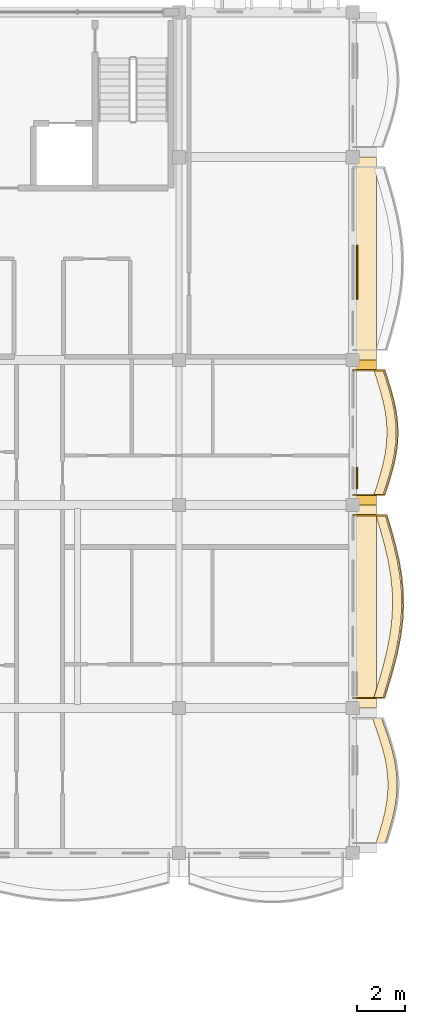
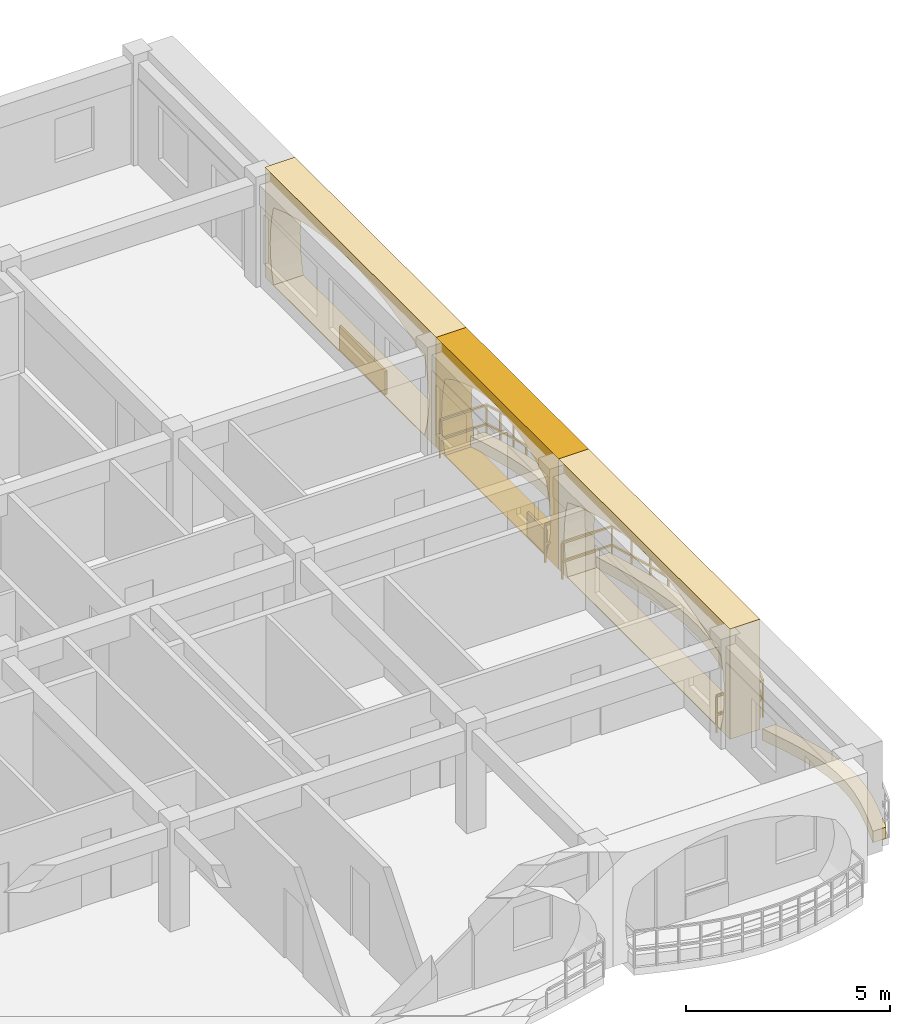
# One storey, part 63 of 70: 8 coverings, 2 railings.
"""IFC4 building model written with IfcOpenShell, lengths in metres."""

from ifc_helpers import new_model, si_unit, direction, frame, origin, origin_2d, place, context, subcontext, project, spatial, polyline, rectangle, outline, extrude, material, layer, layer_set, type_object, element, save


model = new_model("IFC4")

# Units and contexts
model_context = context("Model", 3, precision=1e-05, world=origin(), true_north=direction((0.0, 1.0)))
body_context = subcontext(model_context, "Body", "Model", "MODEL_VIEW")
ifc_project = project(units=[si_unit("LENGTHUNIT", "METRE"), si_unit("AREAUNIT", "SQUARE_METRE"), si_unit("VOLUMEUNIT", "CUBIC_METRE"), si_unit("PLANEANGLEUNIT", "RADIAN"), si_unit("MASSUNIT", "GRAM", prefix="KILO"), si_unit("THERMODYNAMICTEMPERATUREUNIT", "KELVIN")], contexts=[model_context])

# Site, building, storey
site_placement = place(None, origin())
site = spatial("IfcSite", under=ifc_project, at=site_placement, CompositionType="ELEMENT")
building_placement = place(site_placement, origin())
building = spatial("IfcBuilding", under=site, at=building_placement, Name="Thalorik Housing Commons", CompositionType="ELEMENT")
storey_placement = place(building_placement, frame((0.0, 0.0, 14.699951171875)))
storey = spatial("IfcBuildingStorey", under=building, at=storey_placement, Name="L04", CompositionType="ELEMENT", Elevation=14.699951171875)

# Coverings
ifc_material_1 = material(Name="Precast concrete C40/50", Category="concrete")
ifc_layer_1 = layer(ifc_material_1, 0.85009765625, Name="Precast concrete C40/50", Category="concrete")
ifc_layer_set_1 = layer_set([ifc_layer_1], Name="Precast concrete C40/50")
covering_type_1 = type_object("IfcCoveringType", Name="ARC-CLD-CUSH-850", PredefinedType="CLADDING", material=ifc_layer_set_1)
covering_1_placement = place(storey_placement, frame((174.5625, 47.39990234375, 0.0), z_axis=(0.0, 0.0, 1.0), x_axis=(0.0, 1.0, 0.0)))
element("IfcCovering", 1, at=covering_1_placement, inside=storey, type_object=covering_type_1, Name="L04 White Precast Curved Cushion Bay Frame 4827", PredefinedType="CLADDING", context=body_context, shape_type="SweptSolid", body=[
    extrude(outline(polyline([(-4.199951171875, 0.0), (4.199951171875, 0.0), (4.199951171875, 3.300048828125), (-4.199951171875, 3.300048828125), (-4.199951171875, 0.0)]), holes=[polyline([(3.764892578125, 0.02490234375), (3.856689453125, 0.3974609375), (3.911865234375, 0.77001953125), (3.930419921875, 1.142578125), (3.911865234375, 1.514892578125), (3.856689453125, 1.887451171875), (3.764892578125, 2.260009765625), (3.138916015625, 2.497314453125), (2.5126953125, 2.683837890625), (1.88671875, 2.8349609375), (1.260498046875, 2.947265625), (0.63427734375, 3.0166015625), (0.00830078125, 3.0400390625), (-0.617919921875, 3.0166015625), (-1.244140625, 2.947265625), (-1.8701171875, 2.8349609375), (-2.496337890625, 2.683837890625), (-3.12255859375, 2.497314453125), (-3.74853515625, 2.260009765625), (-3.843994140625, 1.887451171875), (-3.901123046875, 1.514892578125), (-3.920166015625, 1.142578125), (-3.901123046875, 0.77001953125), (-3.843994140625, 0.3974609375), (-3.74853515625, 0.02490234375), (3.764892578125, 0.02490234375)])]), frame((0.0, 0.425048828125, 0.0), z_axis=(0.0, -1.0, 0.0), x_axis=(1.0, 0.0, 0.0)), (0.0, 0.0, 1.0), 0.85009765625),
])
covering_2_placement = place(storey_placement, frame((174.5625, 54.60009765625, 0.0), z_axis=(0.0, 0.0, 1.0), x_axis=(0.0, 1.0, 0.0)))
element("IfcCovering", 2, at=covering_2_placement, inside=storey, type_object=covering_type_1, Name="L04 White Precast Curved Cushion Bay Frame 4829", PredefinedType="CLADDING", context=body_context, shape_type="SweptSolid", body=[
    extrude(outline(polyline([(-3.0, 0.0), (3.0, 0.0), (3.0, 3.300048828125), (-3.0, 3.300048828125), (-3.0, 0.0)]), holes=[polyline([(2.56884765625, 0.02490234375), (2.659912109375, 0.407470703125), (2.71435546875, 0.7900390625), (2.732666015625, 1.172607421875), (2.71435546875, 1.554931640625), (2.659912109375, 1.9375), (2.56884765625, 2.320068359375), (2.15625, 2.539306640625), (1.743896484375, 2.711181640625), (1.331298828125, 2.8505859375), (0.918701171875, 2.954345703125), (0.50634765625, 3.018310546875), (0.09375, 3.0400390625), (-0.318603515625, 3.018310546875), (-0.731201171875, 2.954345703125), (-1.143798828125, 2.8505859375), (-1.55615234375, 2.711181640625), (-1.96875, 2.539306640625), (-2.381103515625, 2.320068359375), (-2.51171875, 1.9375), (-2.590087890625, 1.554931640625), (-2.6162109375, 1.172607421875), (-2.590087890625, 0.7900390625), (-2.51171875, 0.407470703125), (-2.381103515625, 0.02490234375), (2.56884765625, 0.02490234375)])]), frame((0.0, 0.425048828125, 0.0), z_axis=(0.0, -1.0, 0.0), x_axis=(1.0, 0.0, 0.0)), (0.0, 0.0, 1.0), 0.85009765625),
])
covering_3_placement = place(storey_placement, frame((174.5625, 61.800048828125, 0.0), z_axis=(0.0, 0.0, 1.0), x_axis=(0.0, 1.0, 0.0)))
element("IfcCovering", 3, at=covering_3_placement, inside=storey, type_object=covering_type_1, Name="L04 White Precast Curved Cushion Bay Frame 4831", PredefinedType="CLADDING", context=body_context, shape_type="SweptSolid", body=[
    extrude(outline(polyline([(-4.199951171875, 0.0), (4.199951171875, 0.0), (4.199951171875, 3.300048828125), (-4.199951171875, 3.300048828125), (-4.199951171875, 0.0)]), holes=[polyline([(3.780029296875, 0.02490234375), (3.86865234375, 0.410888671875), (3.921875, 0.796630859375), (3.939697265625, 1.1826171875), (3.921875, 1.568359375), (3.86865234375, 1.9541015625), (3.780029296875, 2.340087890625), (3.16259765625, 2.552978515625), (2.544921875, 2.720458984375), (1.927490234375, 2.85595703125), (1.31005859375, 2.956787109375), (0.6923828125, 3.01904296875), (0.074951171875, 3.0400390625), (-0.54248046875, 3.01904296875), (-1.159912109375, 2.956787109375), (-1.777587890625, 2.85595703125), (-2.39501953125, 2.720458984375), (-3.012451171875, 2.552978515625), (-3.6298828125, 2.340087890625), (-3.750244140625, 1.9541015625), (-3.822509765625, 1.568359375), (-3.8466796875, 1.1826171875), (-3.822509765625, 0.796630859375), (-3.750244140625, 0.410888671875), (-3.6298828125, 0.02490234375), (3.780029296875, 0.02490234375)])]), frame((0.0, 0.425048828125, 0.0), z_axis=(0.0, -1.0, 0.0), x_axis=(1.0, 0.0, 0.0)), (0.0, 0.0, 1.0), 0.85009765625),
])
ifc_material_2 = material(Name="Terracotta red mineral fibre-cement panel", Category="masonry")
ifc_layer_2 = layer(ifc_material_2, 0.054931640625, Name="Terracotta red mineral fibre-cement panel", Category="masonry")
ifc_layer_set_2 = layer_set([ifc_layer_2], Name="Terracotta red mineral fibre-cement panel")
covering_type_2 = type_object("IfcCoveringType", Name="ARC-CLD-RED-55", PredefinedType="CLADDING", material=ifc_layer_set_2)
covering_4_placement = place(storey_placement, frame((174.169921875, 61.239990234375, 0.05029296875), z_axis=(0.0, 0.0, 1.0), x_axis=(0.0, 1.0, 0.0)))
element("IfcCovering", 4, at=covering_4_placement, inside=storey, type_object=covering_type_2, Name="L04 De Stijl Recessed Window Spandrel 4832", PredefinedType="CLADDING", context=body_context, shape_type="SweptSolid", body=[
    extrude(rectangle(XDim=2.239990234375, YDim=0.054931640625, at=origin_2d()), origin(), (0.0, 0.0, 1.0), 0.699951171875),
])
ifc_material_3 = material(Name="Mineral ochre architectural terracotta panel", Category="masonry")
ifc_layer_3 = layer(ifc_material_3, 0.06494140625, Name="Mineral ochre architectural terracotta panel", Category="masonry")
ifc_layer_set_3 = layer_set([ifc_layer_3], Name="Mineral ochre architectural terracotta panel")
covering_type_3 = type_object("IfcCoveringType", Name="ARC-CLD-YEL-65", PredefinedType="CLADDING", material=ifc_layer_set_3)
covering_5_placement = place(storey_placement, frame((174.175048828125, 52.71875, 0.05029296875), z_axis=(0.0, 0.0, 1.0), x_axis=(0.0, 1.0, 0.0)))
element("IfcCovering", 5, at=covering_5_placement, inside=storey, type_object=covering_type_3, Name="L04 De Stijl Recessed Window Spandrel 4830", PredefinedType="CLADDING", context=body_context, shape_type="SweptSolid", body=[
    extrude(rectangle(XDim=0.89990234375, YDim=0.06494140625, at=origin_2d()), origin(), (0.0, 0.0, 1.0), 0.699951171875),
])
ifc_material_4 = material(Name="Planted vegetated substrate and terracotta trough", Category="masonry")
ifc_layer_4 = layer(ifc_material_4, 0.340087890625, Name="Planted vegetated substrate and terracotta trough", Category="masonry")
ifc_layer_set_4 = layer_set([ifc_layer_4], Name="Planted vegetated substrate and terracotta trough")
covering_type_4 = type_object("IfcCoveringType", Name="ARC-COV-PLANTER", PredefinedType="USERDEFINED", material=ifc_layer_set_4)
covering_6_placement = place(storey_placement, origin())
element("IfcCovering", 6, at=covering_6_placement, inside=storey, type_object=covering_type_4, Name="L04 Balcony Slab-Edge Planted Trough 5665", ObjectType="PLANTER", PredefinedType="USERDEFINED", context=body_context, shape_type="SweptSolid", body=[
    extrude(outline(polyline([(175.338623046875, 37.6201171875), (175.4755859375, 38.050048828125), (175.600830078125, 38.47998046875), (175.70556640625, 38.909912109375), (175.781494140625, 39.340087890625), (175.8232421875, 39.77001953125), (175.826904296875, 40.199951171875), (175.791748046875, 40.6298828125), (175.719970703125, 41.06005859375), (175.61572265625, 41.489990234375), (175.486083984375, 41.919921875), (175.33984375, 42.35009765625), (175.186767578125, 42.780029296875), (174.806884765625, 42.780029296875), (174.959716796875, 42.35009765625), (175.106201171875, 41.919921875), (175.235595703125, 41.489990234375), (175.33984375, 41.06005859375), (175.411865234375, 40.6298828125), (175.447021484375, 40.199951171875), (175.443115234375, 39.77001953125), (175.401611328125, 39.340087890625), (175.325439453125, 38.909912109375), (175.220703125, 38.47998046875), (175.095458984375, 38.050048828125), (174.958740234375, 37.6201171875), (175.338623046875, 37.6201171875)])), origin(), (0.0, 0.0, 1.0), 0.340087890625),
])
covering_7_placement = place(storey_placement, origin())
element("IfcCovering", 7, at=covering_7_placement, inside=storey, type_object=covering_type_4, Name="L04 Balcony Slab-Edge Planted Trough 5666", ObjectType="PLANTER", PredefinedType="USERDEFINED", context=body_context, shape_type="SweptSolid", body=[
    extrude(outline(polyline([(175.2451171875, 43.6201171875), (175.43408203125, 44.25), (175.6142578125, 44.8798828125), (175.77294921875, 45.510009765625), (175.89892578125, 46.139892578125), (175.983642578125, 46.77001953125), (176.02099609375, 47.39990234375), (176.00830078125, 48.030029296875), (175.946533203125, 48.659912109375), (175.83984375, 49.2900390625), (175.695556640625, 49.919921875), (175.5234375, 50.550048828125), (175.335693359375, 51.179931640625), (174.955810546875, 51.179931640625), (175.1435546875, 50.550048828125), (175.3154296875, 49.919921875), (175.459716796875, 49.2900390625), (175.56640625, 48.659912109375), (175.62841796875, 48.030029296875), (175.640869140625, 47.39990234375), (175.603515625, 46.77001953125), (175.51904296875, 46.139892578125), (175.392822265625, 45.510009765625), (175.234375, 44.8798828125), (175.05419921875, 44.25), (174.864990234375, 43.6201171875), (175.2451171875, 43.6201171875)])), origin(), (0.0, 0.0, 1.0), 0.340087890625),
])
covering_8_placement = place(storey_placement, origin())
element("IfcCovering", 8, at=covering_8_placement, inside=storey, type_object=covering_type_4, Name="L04 Balcony Slab-Edge Planted Trough 5667", ObjectType="PLANTER", PredefinedType="USERDEFINED", context=body_context, shape_type="SweptSolid", body=[
    extrude(outline(polyline([(175.247802734375, 52.02001953125), (175.386962890625, 52.449951171875), (175.51806640625, 52.8798828125), (175.631103515625, 53.31005859375), (175.71826171875, 53.739990234375), (175.773193359375, 54.169921875), (175.7919921875, 54.60009765625), (175.773193359375, 55.030029296875), (175.71826171875, 55.4599609375), (175.631103515625, 55.889892578125), (175.51806640625, 56.320068359375), (175.386962890625, 56.75), (175.247802734375, 57.179931640625), (174.867919921875, 57.179931640625), (175.007080078125, 56.75), (175.137939453125, 56.320068359375), (175.251220703125, 55.889892578125), (175.33837890625, 55.4599609375), (175.393310546875, 55.030029296875), (175.412109375, 54.60009765625), (175.393310546875, 54.169921875), (175.33837890625, 53.739990234375), (175.251220703125, 53.31005859375), (175.137939453125, 52.8798828125), (175.007080078125, 52.449951171875), (174.867919921875, 52.02001953125), (175.247802734375, 52.02001953125)])), origin(), (0.0, 0.0, 1.0), 0.340087890625),
])

# Railings
ifc_material_5 = material(Name="Steel S355", Category="steel")
railing_type_1 = type_object("IfcRailingType", Name="ARC-RL-BAL-112", PredefinedType="BALUSTRADE", material=ifc_material_5)
railing_1_placement = place(storey_placement, frame((174.0, 43.6201171875, 0.0)))
element("IfcRailing", 9, at=railing_1_placement, inside=storey, type_object=railing_type_1, Name="L04 Cushion Balcony Guardrail 350", PredefinedType="BALUSTRADE", context=body_context, shape_type="SweptSolid", body=[
    extrude(rectangle(XDim=0.050048828125, YDim=0.050048828125, at=origin_2d()), frame((0.0, 0.0, 1.09521484375), z_axis=(1.0, 0.0, 0.0), x_axis=(0.0, 1.0, 0.0)), (0.0, 0.0, 1.0), 1.31494140625),
    extrude(rectangle(XDim=0.050048828125, YDim=0.050048828125, at=origin_2d()), frame((0.0, 0.0, 0.53515625), z_axis=(1.0, 0.0, 0.0), x_axis=(0.0, 1.0, 0.0)), (0.0, 0.0, 1.0), 1.31494140625),
    extrude(rectangle(XDim=0.050048828125, YDim=0.050048828125, at=origin_2d()), frame((1.31494140625, 0.0, 1.09521484375), z_axis=(0.287688427839, 0.957724056546, 0.0), x_axis=(-0.957724056546, 0.287688427839, 0.0)), (0.0, 0.0, 1.0), 0.65771484375),
    extrude(rectangle(XDim=0.050048828125, YDim=0.050048828125, at=origin_2d()), frame((1.31494140625, 0.0, 0.53515625), z_axis=(0.287688427839, 0.957724056546, 0.0), x_axis=(-0.957724056546, 0.287688427839, 0.0)), (0.0, 0.0, 1.0), 0.65771484375),
    extrude(rectangle(XDim=0.050048828125, YDim=0.050048828125, at=origin_2d()), frame((1.504150390625, 0.6298828125, 1.09521484375), z_axis=(0.275016423265, 0.961439528486, 0.0), x_axis=(-0.961439528486, 0.275016423265, 0.0)), (0.0, 0.0, 1.0), 0.655029296875),
    extrude(rectangle(XDim=0.050048828125, YDim=0.050048828125, at=origin_2d()), frame((1.504150390625, 0.6298828125, 0.53515625), z_axis=(0.275016423265, 0.961439528486, 0.0), x_axis=(-0.961439528486, 0.275016423265, 0.0)), (0.0, 0.0, 1.0), 0.655029296875),
    extrude(rectangle(XDim=0.050048828125, YDim=0.050048828125, at=origin_2d()), frame((1.684326171875, 1.259765625, 1.09521484375), z_axis=(0.244214929817, 0.969721129013, 0.0), x_axis=(-0.969721129013, 0.244214929817, 0.0)), (0.0, 0.0, 1.0), 0.64990234375),
    extrude(rectangle(XDim=0.050048828125, YDim=0.050048828125, at=origin_2d()), frame((1.684326171875, 1.259765625, 0.53515625), z_axis=(0.244214929817, 0.969721129013, 0.0), x_axis=(-0.969721129013, 0.244214929817, 0.0)), (0.0, 0.0, 1.0), 0.64990234375),
    extrude(rectangle(XDim=0.050048828125, YDim=0.050048828125, at=origin_2d()), frame((1.843017578125, 1.889892578125, 1.09521484375), z_axis=(0.196116135138, 0.980580675691, 0.0), x_axis=(-0.980580675691, 0.196116135138, 0.0)), (0.0, 0.0, 1.0), 0.642333984375),
    extrude(rectangle(XDim=0.050048828125, YDim=0.050048828125, at=origin_2d()), frame((1.843017578125, 1.889892578125, 0.53515625), z_axis=(0.196116135138, 0.980580675691, 0.0), x_axis=(-0.980580675691, 0.196116135138, 0.0)), (0.0, 0.0, 1.0), 0.642333984375),
    extrude(rectangle(XDim=0.050048828125, YDim=0.050048828125, at=origin_2d()), frame((1.968994140625, 2.519775390625, 1.09521484375), z_axis=(0.133245190667, 0.991083104066, 0.0), x_axis=(-0.991083104066, 0.133245190667, 0.0)), (0.0, 0.0, 1.0), 0.6357421875),
    extrude(rectangle(XDim=0.050048828125, YDim=0.050048828125, at=origin_2d()), frame((1.968994140625, 2.519775390625, 0.53515625), z_axis=(0.133245190667, 0.991083104066, 0.0), x_axis=(-0.991083104066, 0.133245190667, 0.0)), (0.0, 0.0, 1.0), 0.6357421875),
    extrude(rectangle(XDim=0.050048828125, YDim=0.050048828125, at=origin_2d()), frame((2.0537109375, 3.14990234375, 1.09521484375), z_axis=(0.05881274918, 0.998269032142, 0.0), x_axis=(-0.998269032142, 0.05881274918, 0.0)), (0.0, 0.0, 1.0), 0.630859375),
    extrude(rectangle(XDim=0.050048828125, YDim=0.050048828125, at=origin_2d()), frame((2.0537109375, 3.14990234375, 0.53515625), z_axis=(0.05881274918, 0.998269032142, 0.0), x_axis=(-0.998269032142, 0.05881274918, 0.0)), (0.0, 0.0, 1.0), 0.630859375),
    extrude(rectangle(XDim=0.050048828125, YDim=0.050048828125, at=origin_2d()), frame((2.0908203125, 3.77978515625, 1.09521484375), z_axis=(-0.019755926565, 0.999804832638, 0.0), x_axis=(-0.999804832638, -0.019755926565, 0.0)), (0.0, 0.0, 1.0), 0.63037109375),
    extrude(rectangle(XDim=0.050048828125, YDim=0.050048828125, at=origin_2d()), frame((2.0908203125, 3.77978515625, 0.53515625), z_axis=(-0.019755926565, 0.999804832638, 0.0), x_axis=(-0.999804832638, -0.019755926565, 0.0)), (0.0, 0.0, 1.0), 0.63037109375),
    extrude(rectangle(XDim=0.050048828125, YDim=0.050048828125, at=origin_2d()), frame((2.078369140625, 4.409912109375, 1.09521484375), z_axis=(-0.097593898963, 0.995226321439, 0.0), x_axis=(-0.995226321439, -0.097593898963, 0.0)), (0.0, 0.0, 1.0), 0.6328125),
    extrude(rectangle(XDim=0.050048828125, YDim=0.050048828125, at=origin_2d()), frame((2.078369140625, 4.409912109375, 0.53515625), z_axis=(-0.097593898963, 0.995226321439, 0.0), x_axis=(-0.995226321439, -0.097593898963, 0.0)), (0.0, 0.0, 1.0), 0.6328125),
    extrude(rectangle(XDim=0.050048828125, YDim=0.050048828125, at=origin_2d()), frame((2.0166015625, 5.039794921875, 1.09521484375), z_axis=(-0.166938291394, 0.98596734574, 0.0), x_axis=(-0.98596734574, -0.166938291394, 0.0)), (0.0, 0.0, 1.0), 0.63916015625),
    extrude(rectangle(XDim=0.050048828125, YDim=0.050048828125, at=origin_2d()), frame((2.0166015625, 5.039794921875, 0.53515625), z_axis=(-0.166938291394, 0.98596734574, 0.0), x_axis=(-0.98596734574, -0.166938291394, 0.0)), (0.0, 0.0, 1.0), 0.63916015625),
    extrude(rectangle(XDim=0.050048828125, YDim=0.050048828125, at=origin_2d()), frame((1.909912109375, 5.669921875, 1.09521484375), z_axis=(-0.223645344771, 0.974670590386, 0.0), x_axis=(-0.974670590386, -0.223645344771, 0.0)), (0.0, 0.0, 1.0), 0.646240234375),
    extrude(rectangle(XDim=0.050048828125, YDim=0.050048828125, at=origin_2d()), frame((1.909912109375, 5.669921875, 0.53515625), z_axis=(-0.223645344771, 0.974670590386, 0.0), x_axis=(-0.974670590386, -0.223645344771, 0.0)), (0.0, 0.0, 1.0), 0.646240234375),
    extrude(rectangle(XDim=0.050048828125, YDim=0.050048828125, at=origin_2d()), frame((1.765380859375, 6.2998046875, 1.09521484375), z_axis=(-0.26314903414, 0.964755194768, 0.0), x_axis=(-0.964755194768, -0.26314903414, 0.0)), (0.0, 0.0, 1.0), 0.653076171875),
    extrude(rectangle(XDim=0.050048828125, YDim=0.050048828125, at=origin_2d()), frame((1.765380859375, 6.2998046875, 0.53515625), z_axis=(-0.26314903414, 0.964755194768, 0.0), x_axis=(-0.964755194768, -0.26314903414, 0.0)), (0.0, 0.0, 1.0), 0.653076171875),
    extrude(rectangle(XDim=0.050048828125, YDim=0.050048828125, at=origin_2d()), frame((1.593505859375, 6.929931640625, 1.09521484375), z_axis=(-0.285643540825, 0.958335936708, 0.0), x_axis=(-0.958335936708, -0.285643540825, 0.0)), (0.0, 0.0, 1.0), 0.6572265625),
    extrude(rectangle(XDim=0.050048828125, YDim=0.050048828125, at=origin_2d()), frame((1.593505859375, 6.929931640625, 0.53515625), z_axis=(-0.285643540825, 0.958335936708, 0.0), x_axis=(-0.958335936708, -0.285643540825, 0.0)), (0.0, 0.0, 1.0), 0.6572265625),
    extrude(rectangle(XDim=0.050048828125, YDim=0.050048828125, at=origin_2d()), frame((1.40576171875, 7.559814453125, 1.09521484375), z_axis=(-1.0, 0.0, 0.0), x_axis=(0.0, -1.0, 0.0)), (0.0, 0.0, 1.0), 1.40576171875),
    extrude(rectangle(XDim=0.050048828125, YDim=0.050048828125, at=origin_2d()), frame((1.40576171875, 7.559814453125, 0.53515625), z_axis=(-1.0, 0.0, 0.0), x_axis=(0.0, -1.0, 0.0)), (0.0, 0.0, 1.0), 1.40576171875),
    extrude(rectangle(XDim=0.0419921875, YDim=0.0419921875, at=origin_2d()), origin(), (0.0, 0.0, 1.0), 1.070068359375),
    extrude(rectangle(XDim=0.0419921875, YDim=0.0419921875, at=origin_2d()), frame((1.31494140625, 0.0, 0.0)), (0.0, 0.0, 1.0), 1.070068359375),
    extrude(rectangle(XDim=0.0419921875, YDim=0.0419921875, at=origin_2d()), frame((1.504150390625, 0.6298828125, 0.0)), (0.0, 0.0, 1.0), 1.070068359375),
    extrude(rectangle(XDim=0.0419921875, YDim=0.0419921875, at=origin_2d()), frame((1.684326171875, 1.259765625, 0.0)), (0.0, 0.0, 1.0), 1.070068359375),
    extrude(rectangle(XDim=0.0419921875, YDim=0.0419921875, at=origin_2d()), frame((1.843017578125, 1.889892578125, 0.0)), (0.0, 0.0, 1.0), 1.070068359375),
    extrude(rectangle(XDim=0.0419921875, YDim=0.0419921875, at=origin_2d()), frame((1.968994140625, 2.519775390625, 0.0)), (0.0, 0.0, 1.0), 1.070068359375),
    extrude(rectangle(XDim=0.0419921875, YDim=0.0419921875, at=origin_2d()), frame((2.0537109375, 3.14990234375, 0.0)), (0.0, 0.0, 1.0), 1.070068359375),
    extrude(rectangle(XDim=0.0419921875, YDim=0.0419921875, at=origin_2d()), frame((2.0908203125, 3.77978515625, 0.0)), (0.0, 0.0, 1.0), 1.070068359375),
    extrude(rectangle(XDim=0.0419921875, YDim=0.0419921875, at=origin_2d()), frame((2.078369140625, 4.409912109375, 0.0)), (0.0, 0.0, 1.0), 1.070068359375),
    extrude(rectangle(XDim=0.0419921875, YDim=0.0419921875, at=origin_2d()), frame((2.0166015625, 5.039794921875, 0.0)), (0.0, 0.0, 1.0), 1.070068359375),
    extrude(rectangle(XDim=0.0419921875, YDim=0.0419921875, at=origin_2d()), frame((1.909912109375, 5.669921875, 0.0)), (0.0, 0.0, 1.0), 1.070068359375),
    extrude(rectangle(XDim=0.0419921875, YDim=0.0419921875, at=origin_2d()), frame((1.765380859375, 6.2998046875, 0.0)), (0.0, 0.0, 1.0), 1.070068359375),
    extrude(rectangle(XDim=0.0419921875, YDim=0.0419921875, at=origin_2d()), frame((1.593505859375, 6.929931640625, 0.0)), (0.0, 0.0, 1.0), 1.070068359375),
    extrude(rectangle(XDim=0.0419921875, YDim=0.0419921875, at=origin_2d()), frame((1.40576171875, 7.559814453125, 0.0)), (0.0, 0.0, 1.0), 1.070068359375),
    extrude(rectangle(XDim=0.0419921875, YDim=0.0419921875, at=origin_2d()), frame((0.0, 7.559814453125, 0.0)), (0.0, 0.0, 1.0), 1.070068359375),
])
railing_type_2 = type_object("IfcRailingType", Name="ARC-RL-BAL-115", PredefinedType="BALUSTRADE", material=ifc_material_5)
railing_2_placement = place(storey_placement, frame((174.0, 52.02001953125, 0.0)))
element("IfcRailing", 10, at=railing_2_placement, inside=storey, type_object=railing_type_2, Name="L04 Cushion Balcony Guardrail 351", PredefinedType="BALUSTRADE", context=body_context, shape_type="SweptSolid", body=[
    extrude(rectangle(XDim=0.050048828125, YDim=0.050048828125, at=origin_2d()), frame((0.0, 0.0, 1.125), z_axis=(1.0, 0.0, 0.0), x_axis=(0.0, 1.0, 0.0)), (0.0, 0.0, 1.0), 1.31787109375),
    extrude(rectangle(XDim=0.050048828125, YDim=0.050048828125, at=origin_2d()), frame((0.0, 0.0, 0.5498046875), z_axis=(1.0, 0.0, 0.0), x_axis=(0.0, 1.0, 0.0)), (0.0, 0.0, 1.0), 1.31787109375),
    extrude(rectangle(XDim=0.050048828125, YDim=0.050048828125, at=origin_2d()), frame((1.31787109375, 0.0, 1.125), z_axis=(0.30794974254, 0.951402625637, 0.0), x_axis=(-0.951402625637, 0.30794974254, 0.0)), (0.0, 0.0, 1.0), 0.451904296875),
    extrude(rectangle(XDim=0.050048828125, YDim=0.050048828125, at=origin_2d()), frame((1.31787109375, 0.0, 0.5498046875), z_axis=(0.30794974254, 0.951402625637, 0.0), x_axis=(-0.951402625637, 0.30794974254, 0.0)), (0.0, 0.0, 1.0), 0.451904296875),
    extrude(rectangle(XDim=0.050048828125, YDim=0.050048828125, at=origin_2d()), frame((1.45703125, 0.429931640625, 1.125), z_axis=(0.291183233014, 0.956667301005, 0.0), x_axis=(-0.956667301005, 0.291183233014, 0.0)), (0.0, 0.0, 1.0), 0.449462890625),
    extrude(rectangle(XDim=0.050048828125, YDim=0.050048828125, at=origin_2d()), frame((1.45703125, 0.429931640625, 0.5498046875), z_axis=(0.291183233014, 0.956667301005, 0.0), x_axis=(-0.956667301005, 0.291183233014, 0.0)), (0.0, 0.0, 1.0), 0.449462890625),
    extrude(rectangle(XDim=0.050048828125, YDim=0.050048828125, at=origin_2d()), frame((1.587890625, 0.85986328125, 1.125), z_axis=(0.254655384289, 0.967031868788, 0.0), x_axis=(-0.967031868788, 0.254655384289, 0.0)), (0.0, 0.0, 1.0), 0.44482421875),
    extrude(rectangle(XDim=0.050048828125, YDim=0.050048828125, at=origin_2d()), frame((1.587890625, 0.85986328125, 0.5498046875), z_axis=(0.254655384289, 0.967031868788, 0.0), x_axis=(-0.967031868788, 0.254655384289, 0.0)), (0.0, 0.0, 1.0), 0.44482421875),
    extrude(rectangle(XDim=0.050048828125, YDim=0.050048828125, at=origin_2d()), frame((1.701171875, 1.2900390625, 1.125), z_axis=(0.198684099639, 0.980063583933, 0.0), x_axis=(-0.980063583933, 0.198684099639, 0.0)), (0.0, 0.0, 1.0), 0.438720703125),
    extrude(rectangle(XDim=0.050048828125, YDim=0.050048828125, at=origin_2d()), frame((1.701171875, 1.2900390625, 0.5498046875), z_axis=(0.198684099639, 0.980063583933, 0.0), x_axis=(-0.980063583933, 0.198684099639, 0.0)), (0.0, 0.0, 1.0), 0.438720703125),
    extrude(rectangle(XDim=0.050048828125, YDim=0.050048828125, at=origin_2d()), frame((1.788330078125, 1.719970703125, 1.125), z_axis=(0.126738018539, 0.991936225096, 0.0), x_axis=(-0.991936225096, 0.126738018539, 0.0)), (0.0, 0.0, 1.0), 0.433349609375),
    extrude(rectangle(XDim=0.050048828125, YDim=0.050048828125, at=origin_2d()), frame((1.788330078125, 1.719970703125, 0.5498046875), z_axis=(0.126738018539, 0.991936225096, 0.0), x_axis=(-0.991936225096, 0.126738018539, 0.0)), (0.0, 0.0, 1.0), 0.433349609375),
    extrude(rectangle(XDim=0.050048828125, YDim=0.050048828125, at=origin_2d()), frame((1.84326171875, 2.14990234375, 1.125), z_axis=(0.043658672491, 0.999046505582, 0.0), x_axis=(-0.999046505582, 0.043658672491, 0.0)), (0.0, 0.0, 1.0), 0.4306640625),
    extrude(rectangle(XDim=0.050048828125, YDim=0.050048828125, at=origin_2d()), frame((1.84326171875, 2.14990234375, 0.5498046875), z_axis=(0.043658672491, 0.999046505582, 0.0), x_axis=(-0.999046505582, 0.043658672491, 0.0)), (0.0, 0.0, 1.0), 0.4306640625),
    extrude(rectangle(XDim=0.050048828125, YDim=0.050048828125, at=origin_2d()), frame((1.862060546875, 2.580078125, 1.125), z_axis=(-0.043683417173, 0.999045423924, 0.0), x_axis=(-0.999045423924, -0.043683417173, 0.0)), (0.0, 0.0, 1.0), 0.430419921875),
    extrude(rectangle(XDim=0.050048828125, YDim=0.050048828125, at=origin_2d()), frame((1.862060546875, 2.580078125, 0.5498046875), z_axis=(-0.043683417173, 0.999045423924, 0.0), x_axis=(-0.999045423924, -0.043683417173, 0.0)), (0.0, 0.0, 1.0), 0.430419921875),
    extrude(rectangle(XDim=0.050048828125, YDim=0.050048828125, at=origin_2d()), frame((1.84326171875, 3.010009765625, 1.125), z_axis=(-0.126738018539, 0.991936225096, 0.0), x_axis=(-0.991936225096, -0.126738018539, 0.0)), (0.0, 0.0, 1.0), 0.433349609375),
    extrude(rectangle(XDim=0.050048828125, YDim=0.050048828125, at=origin_2d()), frame((1.84326171875, 3.010009765625, 0.5498046875), z_axis=(-0.126738018539, 0.991936225096, 0.0), x_axis=(-0.991936225096, -0.126738018539, 0.0)), (0.0, 0.0, 1.0), 0.433349609375),
    extrude(rectangle(XDim=0.050048828125, YDim=0.050048828125, at=origin_2d()), frame((1.788330078125, 3.43994140625, 1.125), z_axis=(-0.198684099639, 0.980063583933, 0.0), x_axis=(-0.980063583933, -0.198684099639, 0.0)), (0.0, 0.0, 1.0), 0.438720703125),
    extrude(rectangle(XDim=0.050048828125, YDim=0.050048828125, at=origin_2d()), frame((1.788330078125, 3.43994140625, 0.5498046875), z_axis=(-0.198684099639, 0.980063583933, 0.0), x_axis=(-0.980063583933, -0.198684099639, 0.0)), (0.0, 0.0, 1.0), 0.438720703125),
    extrude(rectangle(XDim=0.050048828125, YDim=0.050048828125, at=origin_2d()), frame((1.701171875, 3.869873046875, 1.125), z_axis=(-0.254655384289, 0.967031868788, 0.0), x_axis=(-0.967031868788, -0.254655384289, 0.0)), (0.0, 0.0, 1.0), 0.44482421875),
    extrude(rectangle(XDim=0.050048828125, YDim=0.050048828125, at=origin_2d()), frame((1.701171875, 3.869873046875, 0.5498046875), z_axis=(-0.254655384289, 0.967031868788, 0.0), x_axis=(-0.967031868788, -0.254655384289, 0.0)), (0.0, 0.0, 1.0), 0.44482421875),
    extrude(rectangle(XDim=0.050048828125, YDim=0.050048828125, at=origin_2d()), frame((1.587890625, 4.300048828125, 1.125), z_axis=(-0.291183233014, 0.956667301005, 0.0), x_axis=(-0.956667301005, -0.291183233014, 0.0)), (0.0, 0.0, 1.0), 0.449462890625),
    extrude(rectangle(XDim=0.050048828125, YDim=0.050048828125, at=origin_2d()), frame((1.587890625, 4.300048828125, 0.5498046875), z_axis=(-0.291183233014, 0.956667301005, 0.0), x_axis=(-0.956667301005, -0.291183233014, 0.0)), (0.0, 0.0, 1.0), 0.449462890625),
    extrude(rectangle(XDim=0.050048828125, YDim=0.050048828125, at=origin_2d()), frame((1.45703125, 4.72998046875, 1.125), z_axis=(-0.30794974254, 0.951402625637, 0.0), x_axis=(-0.951402625637, -0.30794974254, 0.0)), (0.0, 0.0, 1.0), 0.451904296875),
    extrude(rectangle(XDim=0.050048828125, YDim=0.050048828125, at=origin_2d()), frame((1.45703125, 4.72998046875, 0.5498046875), z_axis=(-0.30794974254, 0.951402625637, 0.0), x_axis=(-0.951402625637, -0.30794974254, 0.0)), (0.0, 0.0, 1.0), 0.451904296875),
    extrude(rectangle(XDim=0.050048828125, YDim=0.050048828125, at=origin_2d()), frame((1.31787109375, 5.159912109375, 1.125), z_axis=(-1.0, 0.0, 0.0), x_axis=(0.0, -1.0, 0.0)), (0.0, 0.0, 1.0), 1.31787109375),
    extrude(rectangle(XDim=0.050048828125, YDim=0.050048828125, at=origin_2d()), frame((1.31787109375, 5.159912109375, 0.5498046875), z_axis=(-1.0, 0.0, 0.0), x_axis=(0.0, -1.0, 0.0)), (0.0, 0.0, 1.0), 1.31787109375),
    extrude(rectangle(XDim=0.0419921875, YDim=0.0419921875, at=origin_2d()), origin(), (0.0, 0.0, 1.0), 1.099853515625),
    extrude(rectangle(XDim=0.0419921875, YDim=0.0419921875, at=origin_2d()), frame((1.31787109375, 0.0, 0.0)), (0.0, 0.0, 1.0), 1.099853515625),
    extrude(rectangle(XDim=0.0419921875, YDim=0.0419921875, at=origin_2d()), frame((1.45703125, 0.429931640625, 0.0)), (0.0, 0.0, 1.0), 1.099853515625),
    extrude(rectangle(XDim=0.0419921875, YDim=0.0419921875, at=origin_2d()), frame((1.587890625, 0.85986328125, 0.0)), (0.0, 0.0, 1.0), 1.099853515625),
    extrude(rectangle(XDim=0.0419921875, YDim=0.0419921875, at=origin_2d()), frame((1.701171875, 1.2900390625, 0.0)), (0.0, 0.0, 1.0), 1.099853515625),
    extrude(rectangle(XDim=0.0419921875, YDim=0.0419921875, at=origin_2d()), frame((1.788330078125, 1.719970703125, 0.0)), (0.0, 0.0, 1.0), 1.099853515625),
    extrude(rectangle(XDim=0.0419921875, YDim=0.0419921875, at=origin_2d()), frame((1.84326171875, 2.14990234375, 0.0)), (0.0, 0.0, 1.0), 1.099853515625),
    extrude(rectangle(XDim=0.0419921875, YDim=0.0419921875, at=origin_2d()), frame((1.862060546875, 2.580078125, 0.0)), (0.0, 0.0, 1.0), 1.099853515625),
    extrude(rectangle(XDim=0.0419921875, YDim=0.0419921875, at=origin_2d()), frame((1.84326171875, 3.010009765625, 0.0)), (0.0, 0.0, 1.0), 1.099853515625),
    extrude(rectangle(XDim=0.0419921875, YDim=0.0419921875, at=origin_2d()), frame((1.788330078125, 3.43994140625, 0.0)), (0.0, 0.0, 1.0), 1.099853515625),
    extrude(rectangle(XDim=0.0419921875, YDim=0.0419921875, at=origin_2d()), frame((1.701171875, 3.869873046875, 0.0)), (0.0, 0.0, 1.0), 1.099853515625),
    extrude(rectangle(XDim=0.0419921875, YDim=0.0419921875, at=origin_2d()), frame((1.587890625, 4.300048828125, 0.0)), (0.0, 0.0, 1.0), 1.099853515625),
    extrude(rectangle(XDim=0.0419921875, YDim=0.0419921875, at=origin_2d()), frame((1.45703125, 4.72998046875, 0.0)), (0.0, 0.0, 1.0), 1.099853515625),
    extrude(rectangle(XDim=0.0419921875, YDim=0.0419921875, at=origin_2d()), frame((1.31787109375, 5.159912109375, 0.0)), (0.0, 0.0, 1.0), 1.099853515625),
    extrude(rectangle(XDim=0.0419921875, YDim=0.0419921875, at=origin_2d()), frame((0.0, 5.159912109375, 0.0)), (0.0, 0.0, 1.0), 1.099853515625),
])

save(model, "model.ifc")
